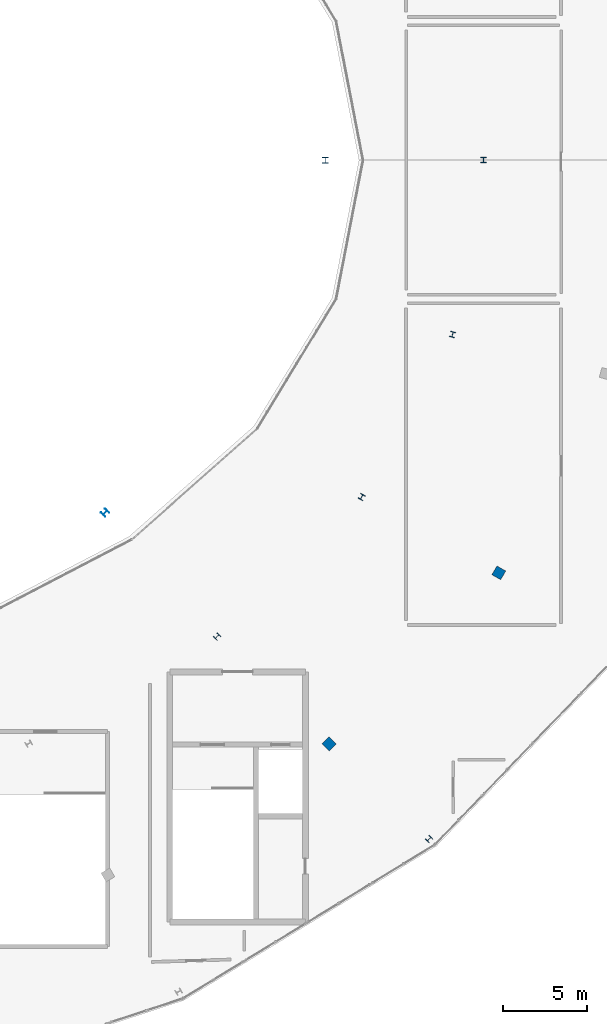
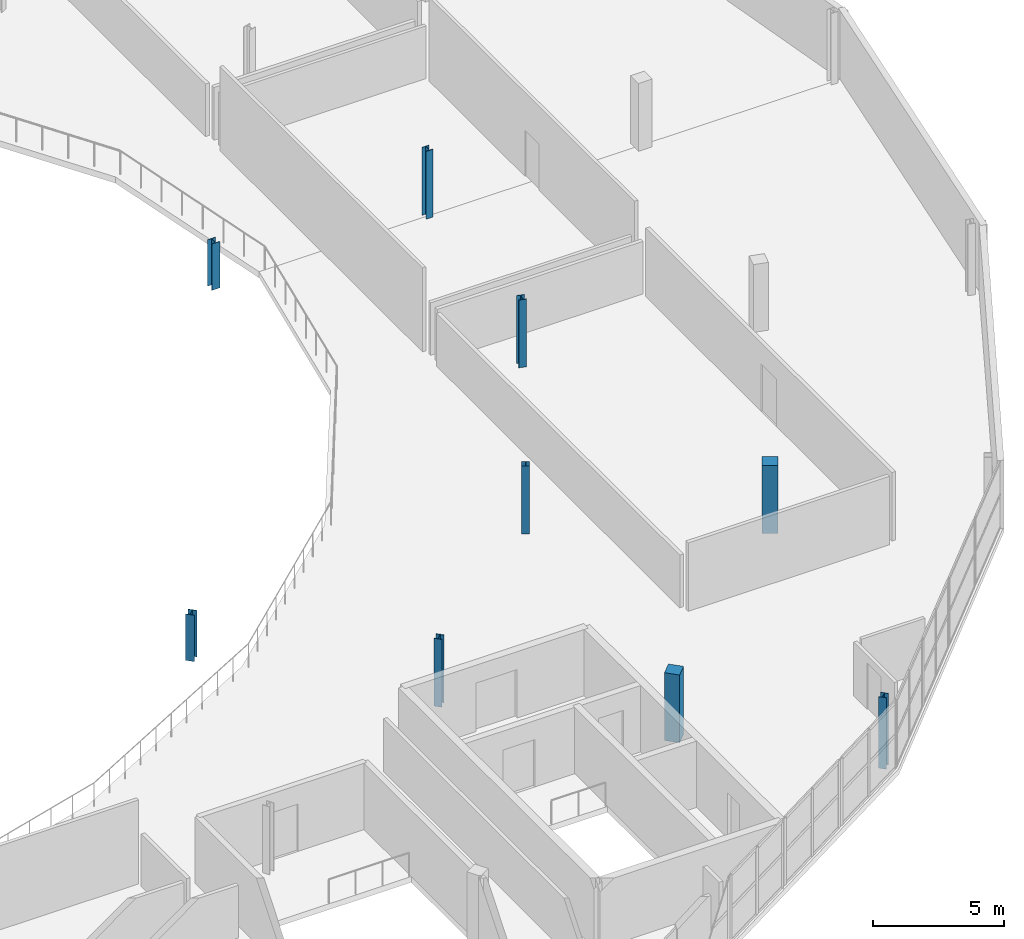
# One storey, part 6 of 35: 9 columns.
"""IFC4 building model written with IfcOpenShell, lengths in metres."""

from ifc_helpers import new_model, si_unit, direction, frame, origin, origin_2d, place, context, subcontext, project, spatial, rectangle, i_section, extrude, material, material_profile, profile_set, type_object, element, save


model = new_model("IFC4")

# Units and contexts
model_context = context("Model", 3, precision=1e-05, world=origin(), true_north=direction((0.0, 1.0)))
body_context = subcontext(model_context, "Body", "Model", "MODEL_VIEW")
ifc_project = project(units=[si_unit("LENGTHUNIT", "METRE"), si_unit("AREAUNIT", "SQUARE_METRE"), si_unit("VOLUMEUNIT", "CUBIC_METRE"), si_unit("PLANEANGLEUNIT", "RADIAN"), si_unit("MASSUNIT", "GRAM", prefix="KILO")], contexts=[model_context])

# Site, building, storey
site_placement = place(None, origin())
site = spatial("IfcSite", under=ifc_project, at=site_placement, CompositionType="ELEMENT")
building_placement = place(site_placement, origin())
building = spatial("IfcBuilding", under=site, at=building_placement, Name="Kalgoora Escarpment Arena", CompositionType="ELEMENT")
storey_placement = place(building_placement, frame((0.0, 0.0, 23.39990234375)))
storey = spatial("IfcBuildingStorey", under=building, at=storey_placement, Name="L05", CompositionType="ELEMENT", Elevation=23.39990234375)

# Columns
ifc_material_1 = material(Name="Structural steel AS/NZS 3679 (300 MPa)", Category="steel")
ifc_material_profile_1 = material_profile(ifc_material_1, i_section(OverallWidth=0.30908203125, OverallDepth=0.321044921875, WebThickness=0.013916015625, FlangeThickness=0.021728515625, at=origin_2d()))
ifc_profile_set_1 = profile_set([ifc_material_profile_1], Name="Structural steel AS/NZS 3679 (300 MPa)")
column_type_1 = type_object("IfcColumnType", Name="COL-COL-310UC137", PredefinedType="COLUMN", material=ifc_profile_set_1)
column_placement = place(storey_placement, frame((143.17041015625, 23.69482421875, 0.0), z_axis=(0.0, 0.0, 1.0), x_axis=(0.707106781187, -0.707106781187, 0.0)))
element("IfcColumn", 1, at=column_placement, inside=storey, type_object=column_type_1, Name="L05 structural column COL-RCONC2-R22", PredefinedType="COLUMN", context=body_context, shape_type="SweptSolid", body=[
    extrude(i_section(OverallWidth=0.30908203125, OverallDepth=0.321044921875, WebThickness=0.013916015625, FlangeThickness=0.021728515625, at=origin_2d()), origin(), (0.0, 0.0, 1.0), 3.320068359375),
])
ifc_material_2 = material(Name="Structural steel AS/NZS 3679 (300 MPa)", Category="steel")
ifc_material_profile_2 = material_profile(ifc_material_2, i_section(OverallWidth=0.31103515625, OverallDepth=0.326904296875, WebThickness=0.015625, FlangeThickness=0.02490234375, at=origin_2d()))
ifc_profile_set_2 = profile_set([ifc_material_profile_2], Name="Structural steel AS/NZS 3679 (300 MPa)")
column_type_2 = type_object("IfcColumnType", Name="COL-COL-310UC158", PredefinedType="COLUMN", material=ifc_profile_set_2)
for number, where, z_axis, x_axis, name in (
    (2, (146.39990234375, 64.0, 0.0), (0.0, 0.0, 1.0), (1.0, 0.0, 0.0), "L05 structural column COL-RMAIN-R01"),
    (3, (130.583740234375, 35.7158203125, 0.0), (0.0, 0.0, 1.0), (0.707106781187, -0.707106781187, 0.0), "L05 structural column COL-RMAIN-R22"),
    (4, (139.165283203125, 44.0, 0.0), (0.0, 0.0, 1.0), (0.866025403784, -0.5, 0.0), "L05 structural column COL-RMAIN-R23"),
    (5, (144.56005859375, 53.647216796875, 0.0), (0.0, 0.0, 1.0), (0.965925826289, -0.258819045103, 0.0), "L05 structural column COL-RMAIN-R24"),
):
    element("IfcColumn", number, at=place(storey_placement, frame(where, z_axis=z_axis, x_axis=x_axis)), inside=storey, type_object=column_type_2, Name=name, PredefinedType="COLUMN", context=body_context, shape_type="SweptSolid", body=[
        extrude(i_section(OverallWidth=0.31103515625, OverallDepth=0.326904296875, WebThickness=0.015625, FlangeThickness=0.02490234375, at=origin_2d()), origin(), (0.0, 0.0, 1.0), 3.150146484375),
    ])
ifc_material_3 = material(Name="Structural steel Grade 350 (350 MPa)", Category="steel")
ifc_material_profile_3 = material_profile(ifc_material_3, i_section(OverallWidth=0.35009765625, OverallDepth=0.35009765625, WebThickness=0.013916015625, FlangeThickness=0.02392578125, at=origin_2d()))
ifc_profile_set_3 = profile_set([ifc_material_profile_3], Name="Structural steel Grade 350 (350 MPa)")
column_type_3 = type_object("IfcColumnType", Name="COL-COL-350WC197", PredefinedType="COLUMN", material=ifc_profile_set_3)
for number, where, z_axis, x_axis, name in (
    (6, (137.0, 64.0, 0.0), (0.0, 0.0, 1.0), (1.0, 0.0, 0.0), "L05 structural column COL-TSPINE-S01"),
    (7, (123.93701171875, 43.069580078125, 0.0), (0.0, 0.0, 1.0), (0.707106781187, -0.707106781187, 0.0), "L05 structural column COL-TSPINE-S08"),
):
    element("IfcColumn", number, at=place(storey_placement, frame(where, z_axis=z_axis, x_axis=x_axis)), inside=storey, type_object=column_type_3, Name=name, PredefinedType="COLUMN", context=body_context, shape_type="SweptSolid", body=[
        extrude(i_section(OverallWidth=0.35009765625, OverallDepth=0.35009765625, WebThickness=0.013916015625, FlangeThickness=0.02392578125, at=origin_2d()), origin(), (0.0, 0.0, 1.0), 2.150146484375),
    ])
ifc_material_4 = material(Name="Concrete N50 (fc' 50 MPa)", Category="concrete")
ifc_material_profile_4 = material_profile(ifc_material_4, rectangle(XDim=0.60009765625, YDim=0.60009765625, at=origin_2d()))
ifc_profile_set_4 = profile_set([ifc_material_profile_4], Name="Concrete N50 (fc' 50 MPa)")
column_type_4 = type_object("IfcColumnType", Name="COL-COL-RC600x600", PredefinedType="COLUMN", material=ifc_profile_set_4)
for number, where, z_axis, x_axis, name in (
    (8, (137.230712890625, 29.351806640625, 0.0), (0.0, 0.0, 1.0), (0.707106781187, -0.707106781187, 0.0), "L05 structural column COL-RCONC1-R22"),
    (9, (147.305908203125, 39.5, 0.0), (0.0, 0.0, 1.0), (0.866025403784, -0.5, 0.0), "L05 structural column COL-RCONC1-R23"),
):
    element("IfcColumn", number, at=place(storey_placement, frame(where, z_axis=z_axis, x_axis=x_axis)), inside=storey, type_object=column_type_4, Name=name, PredefinedType="COLUMN", context=body_context, shape_type="SweptSolid", body=[
        extrude(rectangle(XDim=0.60009765625, YDim=0.60009765625, at=origin_2d()), origin(), (0.0, 0.0, 1.0), 3.150146484375),
    ])

save(model, "model.ifc")
